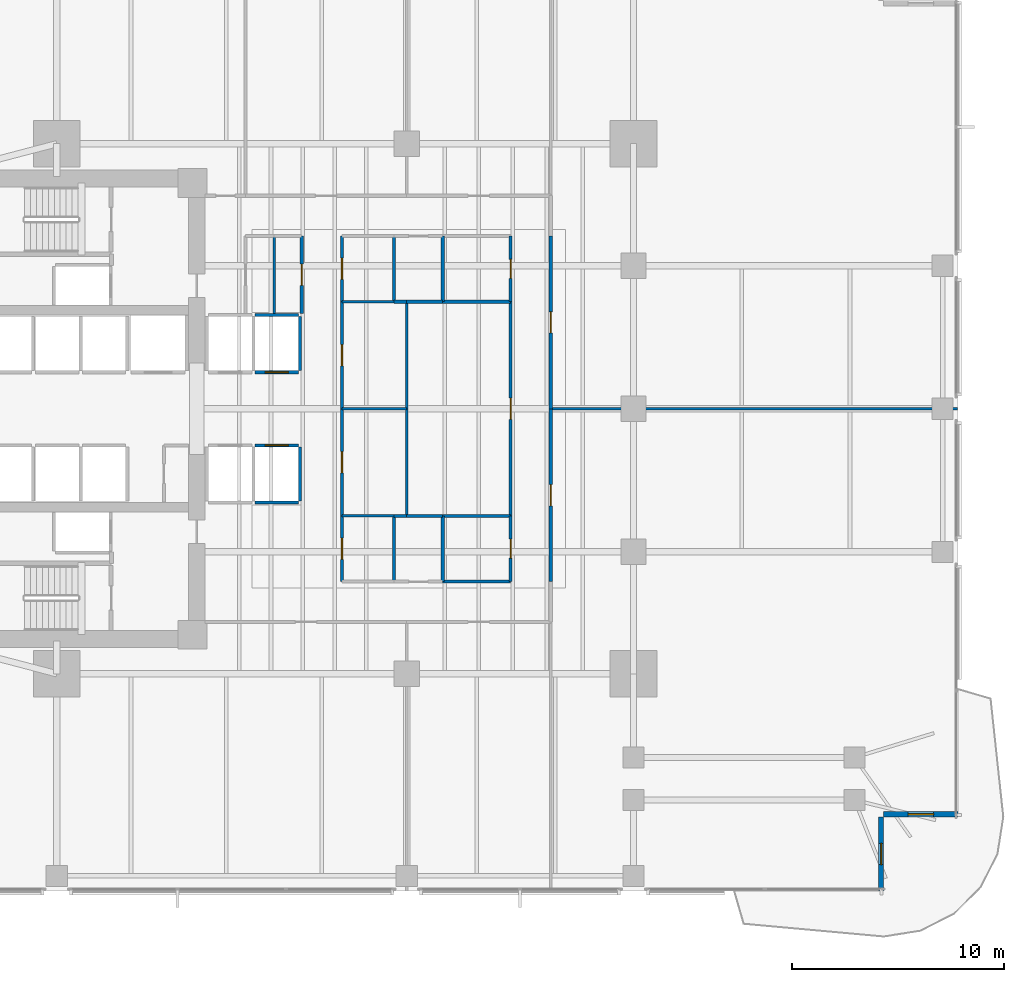
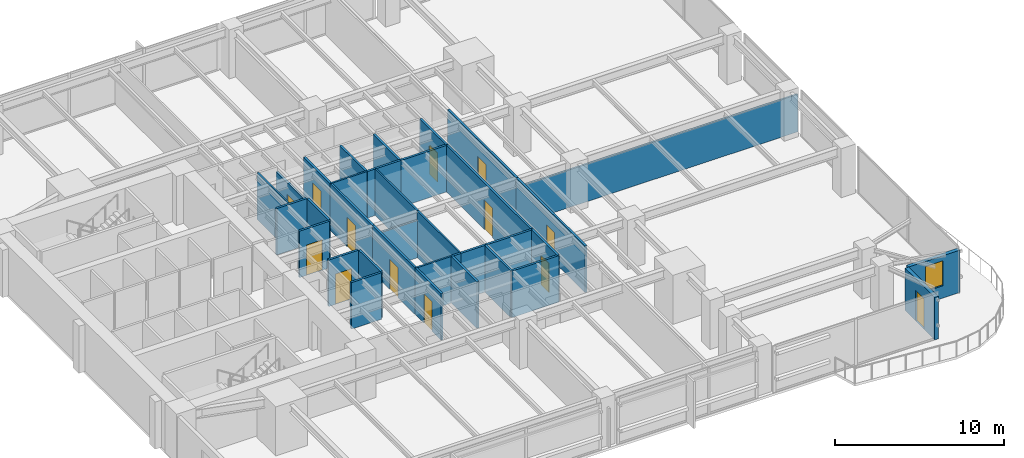
# One storey, part 9 of 15: 36 walls, 13 doors, 1 window, 14 openings.
"""IFC4 building model written with IfcOpenShell, lengths in metres."""

from ifc_helpers import new_model, si_unit, direction, frame, frame_2d, origin, place, context, subcontext, project, spatial, rectangle, extrude, material, layer, layer_set, type_object, element, fill, save


model = new_model("IFC4")

# Units and contexts
model_context = context("Model", 3, precision=1e-05, world=origin(), true_north=direction((0.0, 1.0)))
body_context = subcontext(model_context, "Body", "Model", "MODEL_VIEW")
ifc_project = project(units=[si_unit("LENGTHUNIT", "METRE"), si_unit("AREAUNIT", "SQUARE_METRE"), si_unit("VOLUMEUNIT", "CUBIC_METRE"), si_unit("PLANEANGLEUNIT", "RADIAN"), si_unit("MASSUNIT", "GRAM", prefix="KILO")], contexts=[model_context])

# Site, building, storey
site_placement = place(None, origin())
site = spatial("IfcSite", under=ifc_project, at=site_placement, CompositionType="ELEMENT")
building_placement = place(site_placement, origin())
building = spatial("IfcBuilding", under=site, at=building_placement, Name="Kinhvarn Gate Tower", CompositionType="ELEMENT")
storey_placement = place(building_placement, frame((0.0, 0.0, 36.25)))
storey = spatial("IfcBuildingStorey", under=building, at=storey_placement, Name="L08", CompositionType="ELEMENT", Elevation=36.25)

# Wall, opening, door
ifc_material_1 = material(Name="Fired architectural terracotta", Category="masonry")
ifc_layer_1 = layer(ifc_material_1, 0.25)
ifc_layer_set_1 = layer_set([ifc_layer_1], Name="Fired architectural terracotta")
wall_type_1 = type_object("IfcWallType", Name="WL-EXT-250", PredefinedType="SOLIDWALL", material=ifc_layer_set_1)
wall_1_placement = place(storey_placement, frame((49.875, 2.5, 0.0), z_axis=(0.0, 0.0, 1.0), x_axis=(0.0, 1.0, 0.0)))
wall_1 = element("IfcWall", 1, at=wall_1_placement, inside=storey, type_object=wall_type_1, Name="Exterior Solidwall Wall EW-250 (L08 SE-Notch-Door)", PredefinedType="SOLIDWALL", context=body_context, shape_type="SweptSolid", body=[
    extrude(rectangle(XDim=3.5, YDim=0.25, at=frame_2d((1.75, 0.0))), origin(), (0.0, 0.0, 1.0), 3.070068359375),
])
opening_1_placement = place(wall_1_placement, frame((1.25, 0.0, 0.0)))
opening_1 = element("IfcOpeningElement", 2, at=opening_1_placement, cuts=wall_1, Name="Opening BD-01", PredefinedType="OPENING", context=body_context, shape_type="SweptSolid", body=[
    extrude(rectangle(XDim=1.0, YDim=2.199951171875, at=frame_2d((0.5, 1.10009765625))), frame((0.0, 0.135009765625, 0.0), z_axis=(0.0, -1.0, 0.0), x_axis=(1.0, 0.0, 0.0)), (0.0, 0.0, 1.0), 0.27001953125),
])
ifc_material_2 = material(Name="Clear low-e double glazing", Category="glass")
door_type_1 = type_object("IfcDoorType", Name="DR-BAL-1000", OperationType="NOTDEFINED", PredefinedType="DOOR", material=ifc_material_2)
door_1_placement = place(opening_1_placement, frame((1.0, 0.0, 0.0), z_axis=(0.0, 0.0, 1.0), x_axis=(-1.0, 0.0, 0.0)))
door_1 = element("IfcDoor", 3, at=door_1_placement, inside=storey, type_object=door_type_1, Name="S-Carve Balcony Door BD-01 (L08)", OperationType="SINGLE_SWING_LEFT", OverallHeight=2.199951171875, OverallWidth=1.0, PredefinedType="DOOR", context=body_context, shape_type="SweptSolid", body=[
    extrude(rectangle(XDim=1.0, YDim=2.199951171875, at=frame_2d((0.5, 1.10009765625))), frame((0.0, 0.02490234375, 0.0), z_axis=(0.0, -1.0, 0.0), x_axis=(1.0, 0.0, 0.0)), (0.0, 0.0, 1.0), 0.050048828125),
])
fill(opening_1, door_1)

# Wall, opening, window
wall_2_placement = place(storey_placement, frame((50.0, 6.125, 0.0), z_axis=(0.0, 0.0, 1.0), x_axis=(1.0, 0.0, 0.0)))
wall_2 = element("IfcWall", 4, at=wall_2_placement, inside=storey, type_object=wall_type_1, Name="Exterior Solidwall Wall EW-250 (L08 SE-Notch-Win)", PredefinedType="SOLIDWALL", context=body_context, shape_type="SweptSolid", body=[
    extrude(rectangle(XDim=3.5, YDim=0.25, at=frame_2d((1.75, 0.0))), origin(), (0.0, 0.0, 1.0), 3.070068359375),
])
opening_2_placement = place(wall_2_placement, frame((1.14990234375, 0.0, 0.89990234375)))
opening_2 = element("IfcOpeningElement", 5, at=opening_2_placement, cuts=wall_2, Name="Opening WN-02", PredefinedType="OPENING", context=body_context, shape_type="SweptSolid", body=[
    extrude(rectangle(XDim=1.199951171875, YDim=1.800048828125, at=frame_2d((0.60009765625, 0.89990234375))), frame((0.0, 0.135009765625, 0.0), z_axis=(0.0, -1.0, 0.0), x_axis=(1.0, 0.0, 0.0)), (0.0, 0.0, 1.0), 0.27001953125),
])
window_type = type_object("IfcWindowType", Name="WIN-NTC-1200", PartitioningType="SINGLE_PANEL", PredefinedType="WINDOW", material=ifc_material_2)
window_placement = place(opening_2_placement, origin())
window = element("IfcWindow", 6, at=window_placement, inside=storey, type_object=window_type, Name="Recessed Corner Notch Punched Window 1200x1800 mm (L08)", OverallHeight=1.800048828125, OverallWidth=1.199951171875, PartitioningType="SINGLE_PANEL", PredefinedType="WINDOW", context=body_context, shape_type="SweptSolid", body=[
    extrude(rectangle(XDim=1.199951171875, YDim=1.800048828125, at=frame_2d((0.60009765625, 0.89990234375))), frame((0.0, 0.030029296875, 0.0), z_axis=(0.0, -1.0, 0.0), x_axis=(1.0, 0.0, 0.0)), (0.0, 0.0, 1.0), 0.06005859375),
])
fill(opening_2, window)

# Walls
ifc_material_3 = material(Name="Gypsum acoustic partition board")
ifc_layer_2 = layer(ifc_material_3, 0.14990234375)
ifc_layer_set_2 = layer_set([ifc_layer_2], Name="Gypsum acoustic partition board")
wall_type_2 = type_object("IfcWallType", Name="WL-PLM-150", PredefinedType="PLUMBINGWALL", material=ifc_layer_set_2)
wall_3_placement = place(storey_placement, frame((29.199951171875, 17.10009765625, 0.0), z_axis=(0.0, 0.0, 1.0), x_axis=(0.0, 1.0, 0.0)))
element("IfcWall", 7, at=wall_3_placement, inside=storey, type_object=wall_type_2, Name="Interior Partition PLW-150 (L08)", PredefinedType="PLUMBINGWALL", context=body_context, shape_type="SweptSolid", body=[
    extrude(rectangle(XDim=3.099853515625, YDim=0.14990234375, at=frame_2d((1.5498046875, 0.0))), origin(), (0.0, 0.0, 1.0), 3.3701171875),
])
wall_4_placement = place(storey_placement, frame((29.199951171875, 20.199951171875, 0.0), z_axis=(0.0, 0.0, 1.0), x_axis=(1.0, 0.0, 0.0)))
element("IfcWall", 8, at=wall_4_placement, inside=storey, type_object=wall_type_2, Name="Interior Partition PLW-150 (L08)", PredefinedType="PLUMBINGWALL", context=body_context, shape_type="SweptSolid", body=[
    extrude(rectangle(XDim=3.199951171875, YDim=0.14990234375, at=frame_2d((1.60009765625, 0.0))), origin(), (0.0, 0.0, 1.0), 3.3701171875),
])
wall_5_placement = place(storey_placement, frame((29.199951171875, 30.300048828125, 0.0), z_axis=(0.0, 0.0, 1.0), x_axis=(0.0, 1.0, 0.0)))
element("IfcWall", 9, at=wall_5_placement, inside=storey, type_object=wall_type_2, Name="Interior Partition PLW-150 (L08)", PredefinedType="PLUMBINGWALL", context=body_context, shape_type="SweptSolid", body=[
    extrude(rectangle(XDim=3.099853515625, YDim=0.14990234375, at=frame_2d((1.5498046875, 0.0))), origin(), (0.0, 0.0, 1.0), 3.3701171875),
])
wall_6_placement = place(storey_placement, frame((29.199951171875, 30.300048828125, 0.0), z_axis=(0.0, 0.0, 1.0), x_axis=(1.0, 0.0, 0.0)))
element("IfcWall", 10, at=wall_6_placement, inside=storey, type_object=wall_type_2, Name="Interior Partition PLW-150 (L08)", PredefinedType="PLUMBINGWALL", context=body_context, shape_type="SweptSolid", body=[
    extrude(rectangle(XDim=3.199951171875, YDim=0.14990234375, at=frame_2d((1.60009765625, 0.0))), origin(), (0.0, 0.0, 1.0), 3.3701171875),
])
wall_7_placement = place(storey_placement, frame((26.89990234375, 17.10009765625, 0.0), z_axis=(0.0, 0.0, 1.0), x_axis=(0.0, 1.0, 0.0)))
element("IfcWall", 11, at=wall_7_placement, inside=storey, type_object=wall_type_2, Name="Interior Partition PLW-150 (L08)", PredefinedType="PLUMBINGWALL", context=body_context, shape_type="SweptSolid", body=[
    extrude(rectangle(XDim=3.099853515625, YDim=0.14990234375, at=frame_2d((1.5498046875, 0.0))), origin(), (0.0, 0.0, 1.0), 3.3701171875),
])
wall_8_placement = place(storey_placement, frame((26.89990234375, 20.199951171875, 0.0), z_axis=(0.0, 0.0, 1.0), x_axis=(1.0, 0.0, 0.0)))
element("IfcWall", 12, at=wall_8_placement, inside=storey, type_object=wall_type_2, Name="Interior Partition PLW-150 (L08)", PredefinedType="PLUMBINGWALL", context=body_context, shape_type="SweptSolid", body=[
    extrude(rectangle(XDim=0.60009765625, YDim=0.14990234375, at=frame_2d((0.300048828125, 0.0))), origin(), (0.0, 0.0, 1.0), 3.3701171875),
])
wall_9_placement = place(storey_placement, frame((27.5, 20.199951171875, 0.0), z_axis=(0.0, 0.0, 1.0), x_axis=(1.0, 0.0, 0.0)))
element("IfcWall", 13, at=wall_9_placement, inside=storey, type_object=wall_type_2, Name="Interior Partition PLW-150 (L08)", PredefinedType="PLUMBINGWALL", context=body_context, shape_type="SweptSolid", body=[
    extrude(rectangle(XDim=1.699951171875, YDim=0.14990234375, at=frame_2d((0.85009765625, 0.0))), origin(), (0.0, 0.0, 1.0), 3.3701171875),
])
wall_10_placement = place(storey_placement, frame((26.89990234375, 30.300048828125, 0.0), z_axis=(0.0, 0.0, 1.0), x_axis=(0.0, 1.0, 0.0)))
element("IfcWall", 14, at=wall_10_placement, inside=storey, type_object=wall_type_2, Name="Interior Partition PLW-150 (L08)", PredefinedType="PLUMBINGWALL", context=body_context, shape_type="SweptSolid", body=[
    extrude(rectangle(XDim=3.099853515625, YDim=0.14990234375, at=frame_2d((1.5498046875, 0.0))), origin(), (0.0, 0.0, 1.0), 3.3701171875),
])
wall_11_placement = place(storey_placement, frame((26.89990234375, 30.300048828125, 0.0), z_axis=(0.0, 0.0, 1.0), x_axis=(1.0, 0.0, 0.0)))
element("IfcWall", 15, at=wall_11_placement, inside=storey, type_object=wall_type_2, Name="Interior Partition PLW-150 (L08)", PredefinedType="PLUMBINGWALL", context=body_context, shape_type="SweptSolid", body=[
    extrude(rectangle(XDim=0.60009765625, YDim=0.14990234375, at=frame_2d((0.300048828125, 0.0))), origin(), (0.0, 0.0, 1.0), 3.3701171875),
])
wall_12_placement = place(storey_placement, frame((27.5, 30.300048828125, 0.0), z_axis=(0.0, 0.0, 1.0), x_axis=(1.0, 0.0, 0.0)))
element("IfcWall", 16, at=wall_12_placement, inside=storey, type_object=wall_type_2, Name="Interior Partition PLW-150 (L08)", PredefinedType="PLUMBINGWALL", context=body_context, shape_type="SweptSolid", body=[
    extrude(rectangle(XDim=1.699951171875, YDim=0.14990234375, at=frame_2d((0.85009765625, 0.0))), origin(), (0.0, 0.0, 1.0), 3.3701171875),
])
ifc_layer_3 = layer(ifc_material_3, 0.14990234375)
ifc_layer_set_3 = layer_set([ifc_layer_3], Name="Gypsum acoustic partition board")
wall_type_3 = type_object("IfcWallType", Name="WL-PLM-150F", PredefinedType="PLUMBINGWALL", material=ifc_layer_set_3)
wall_13_placement = place(storey_placement, frame((29.199951171875, 17.10009765625, 0.0), z_axis=(0.0, 0.0, 1.0), x_axis=(1.0, 0.0, 0.0)))
element("IfcWall", 17, at=wall_13_placement, inside=storey, type_object=wall_type_3, Name="Interior Partition PLW-150F (L08)", PredefinedType="PLUMBINGWALL", context=body_context, shape_type="SweptSolid", body=[
    extrude(rectangle(XDim=3.199951171875, YDim=0.14990234375, at=frame_2d((1.60009765625, 0.0))), origin(), (0.0, 0.0, 1.0), 3.3701171875),
])

# Wall, opening, door
wall_14_placement = place(storey_placement, frame((32.39990234375, 17.10009765625, 0.0), z_axis=(0.0, 0.0, 1.0), x_axis=(0.0, 1.0, 0.0)))
wall_14 = element("IfcWall", 18, at=wall_14_placement, inside=storey, type_object=wall_type_3, Name="Interior Partition PLW-150F (L08)", PredefinedType="PLUMBINGWALL", context=body_context, shape_type="SweptSolid", body=[
    extrude(rectangle(XDim=3.099853515625, YDim=0.14990234375, at=frame_2d((1.5498046875, 0.0))), origin(), (0.0, 0.0, 1.0), 3.3701171875),
])
opening_3_placement = place(wall_14_placement, frame((1.10009765625, 0.0, 0.0)))
opening_3 = element("IfcOpeningElement", 19, at=opening_3_placement, cuts=wall_14, Name="Opening FD-04", PredefinedType="OPENING", context=body_context, shape_type="SweptSolid", body=[
    extrude(rectangle(XDim=0.89990234375, YDim=2.10009765625, at=frame_2d((0.449951171875, 1.050048828125))), frame((0.0, 0.0849609375, 0.0), z_axis=(0.0, -1.0, 0.0), x_axis=(1.0, 0.0, 0.0)), (0.0, 0.0, 1.0), 0.169921875),
])
ifc_material_4 = material(Name="Anodised aluminium AW-6063", Category="aluminium")
door_type_2 = type_object("IfcDoorType", Name="DR-FD-900", OperationType="NOTDEFINED", PredefinedType="DOOR", material=ifc_material_4)
door_2_placement = place(opening_3_placement, origin())
door_2 = element("IfcDoor", 20, at=door_2_placement, inside=storey, type_object=door_type_2, Name="Rated Riser & Service Closet Fire Door 900x2100 mm (L08)", OperationType="SINGLE_SWING_LEFT", OverallHeight=2.10009765625, OverallWidth=0.89990234375, PredefinedType="DOOR", context=body_context, shape_type="SweptSolid", body=[
    extrude(rectangle(XDim=0.89990234375, YDim=2.10009765625, at=frame_2d((0.449951171875, 1.050048828125))), frame((0.0, 0.02490234375, 0.0), z_axis=(0.0, -1.0, 0.0), x_axis=(1.0, 0.0, 0.0)), (0.0, 0.0, 1.0), 0.050048828125),
])
fill(opening_3, door_2)

wall_15_placement = place(storey_placement, frame((32.39990234375, 30.300048828125, 0.0), z_axis=(0.0, 0.0, 1.0), x_axis=(0.0, 1.0, 0.0)))
wall_15 = element("IfcWall", 21, at=wall_15_placement, inside=storey, type_object=wall_type_3, Name="Interior Partition PLW-150F (L08)", PredefinedType="PLUMBINGWALL", context=body_context, shape_type="SweptSolid", body=[
    extrude(rectangle(XDim=3.099853515625, YDim=0.14990234375, at=frame_2d((1.5498046875, 0.0))), origin(), (0.0, 0.0, 1.0), 3.3701171875),
])
opening_4_placement = place(wall_15_placement, frame((1.10009765625, 0.0, 0.0)))
opening_4 = element("IfcOpeningElement", 22, at=opening_4_placement, cuts=wall_15, Name="Opening FD-04", PredefinedType="OPENING", context=body_context, shape_type="SweptSolid", body=[
    extrude(rectangle(XDim=0.89990234375, YDim=2.10009765625, at=frame_2d((0.449951171875, 1.050048828125))), frame((0.0, 0.0849609375, 0.0), z_axis=(0.0, -1.0, 0.0), x_axis=(1.0, 0.0, 0.0)), (0.0, 0.0, 1.0), 0.169921875),
])
door_3_placement = place(opening_4_placement, origin())
door_3 = element("IfcDoor", 23, at=door_3_placement, inside=storey, type_object=door_type_2, Name="Rated Riser & Service Closet Fire Door 900x2100 mm (L08)", OperationType="SINGLE_SWING_RIGHT", OverallHeight=2.10009765625, OverallWidth=0.89990234375, PredefinedType="DOOR", context=body_context, shape_type="SweptSolid", body=[
    extrude(rectangle(XDim=0.89990234375, YDim=2.10009765625, at=frame_2d((0.449951171875, 1.050048828125))), frame((0.0, 0.02490234375, 0.0), z_axis=(0.0, -1.0, 0.0), x_axis=(1.0, 0.0, 0.0)), (0.0, 0.0, 1.0), 0.050048828125),
])
fill(opening_4, door_3)

# Walls
ifc_layer_4 = layer(ifc_material_3, 0.1201171875)
ifc_layer_set_4 = layer_set([ifc_layer_4], Name="Gypsum acoustic partition board")
wall_type_4 = type_object("IfcWallType", Name="WL-PRT-120", PredefinedType="PARTITIONING", material=ifc_layer_set_4)
wall_16_placement = place(storey_placement, frame((21.25, 29.75, 0.0), z_axis=(0.0, 0.0, 1.0), x_axis=(0.0, 1.0, 0.0)))
element("IfcWall", 24, at=wall_16_placement, inside=storey, type_object=wall_type_4, Name="Interior Partition PW-120 (L08)", PredefinedType="PARTITIONING", context=body_context, shape_type="SweptSolid", body=[
    extrude(rectangle(XDim=3.64990234375, YDim=0.1201171875, at=frame_2d((1.824951171875, 0.0))), origin(), (0.0, 0.0, 1.0), 3.3701171875),
])
for number, where, z_axis, x_axis, name in (
    (25, (24.449951171875, 20.199951171875, 0.0), (0.0, 0.0, 1.0), (1.0, 0.0, 0.0), "Interior Partition PW-120 (L08)"),
    (26, (24.449951171875, 30.300048828125, 0.0), (0.0, 0.0, 1.0), (1.0, 0.0, 0.0), "Interior Partition PW-120 (L08)"),
):
    element("IfcWall", number, at=place(storey_placement, frame(where, z_axis=z_axis, x_axis=x_axis)), inside=storey, type_object=wall_type_4, Name=name, PredefinedType="PARTITIONING", context=body_context, shape_type="SweptSolid", body=[
        extrude(rectangle(XDim=2.449951171875, YDim=0.1201171875, at=frame_2d((1.22509765625, 0.0))), origin(), (0.0, 0.0, 1.0), 3.3701171875),
    ])
wall_17_placement = place(storey_placement, frame((24.449951171875, 25.25, 0.0), z_axis=(0.0, 0.0, 1.0), x_axis=(1.0, 0.0, 0.0)))
element("IfcWall", 27, at=wall_17_placement, inside=storey, type_object=wall_type_4, Name="Interior Partition PW-120 (L08)", PredefinedType="PARTITIONING", context=body_context, shape_type="SweptSolid", body=[
    extrude(rectangle(XDim=3.050048828125, YDim=0.1201171875, at=frame_2d((1.52490234375, 0.0))), origin(), (0.0, 0.0, 1.0), 2.719970703125),
])
for number, where, z_axis, x_axis, name in (
    (28, (27.5, 20.199951171875, 0.0), (0.0, 0.0, 1.0), (0.0, 1.0, 0.0), "Interior Partition PW-120 (L08)"),
    (29, (27.5, 25.25, 0.0), (0.0, 0.0, 1.0), (0.0, 1.0, 0.0), "Interior Partition PW-120 (L08)"),
):
    element("IfcWall", number, at=place(storey_placement, frame(where, z_axis=z_axis, x_axis=x_axis)), inside=storey, type_object=wall_type_4, Name=name, PredefinedType="PARTITIONING", context=body_context, shape_type="SweptSolid", body=[
        extrude(rectangle(XDim=5.050048828125, YDim=0.1201171875, at=frame_2d((2.52490234375, 0.0))), origin(), (0.0, 0.0, 1.0), 3.3701171875),
    ])
wall_18_placement = place(storey_placement, frame((34.300048828125, 25.25, 0.0), z_axis=(0.0, 0.0, 1.0), x_axis=(1.0, 0.0, 0.0)))
element("IfcWall", 30, at=wall_18_placement, inside=storey, type_object=wall_type_4, Name="Interior Partition PW-120 (L08)", PredefinedType="PARTITIONING", context=body_context, shape_type="SweptSolid", body=[
    extrude(rectangle(XDim=19.18994140625, YDim=0.1201171875, at=frame_2d((9.594970703125, 0.0))), origin(), (0.0, 0.0, 1.0), 2.719970703125),
])

# Wall, opening, door
ifc_layer_5 = layer(ifc_material_3, 0.14990234375)
ifc_layer_set_5 = layer_set([ifc_layer_5], Name="Gypsum acoustic partition board")
wall_type_5 = type_object("IfcWallType", Name="WL-PRT-150F", PredefinedType="PARTITIONING", material=ifc_layer_set_5)
wall_19_placement = place(storey_placement, frame((22.550048828125, 29.75, 0.0), z_axis=(0.0, 0.0, 1.0), x_axis=(0.0, 1.0, 0.0)))
wall_19 = element("IfcWall", 31, at=wall_19_placement, inside=storey, type_object=wall_type_5, Name="Interior Partition PW-150F (L08)", PredefinedType="PARTITIONING", context=body_context, shape_type="SweptSolid", body=[
    extrude(rectangle(XDim=3.64990234375, YDim=0.14990234375, at=frame_2d((1.824951171875, 0.0))), origin(), (0.0, 0.0, 1.0), 3.010009765625),
])
opening_5_placement = place(wall_19_placement, frame((1.324951171875, 0.0, 0.0)))
opening_5 = element("IfcOpeningElement", 32, at=opening_5_placement, cuts=wall_19, Name="Opening ID-02", PredefinedType="OPENING", context=body_context, shape_type="SweptSolid", body=[
    extrude(rectangle(XDim=1.0, YDim=2.14990234375, at=frame_2d((0.5, 1.074951171875))), frame((0.0, 0.0849609375, 0.0), z_axis=(0.0, -1.0, 0.0), x_axis=(1.0, 0.0, 0.0)), (0.0, 0.0, 1.0), 0.169921875),
])
door_type_3 = type_object("IfcDoorType", Name="DR-INT-1000", OperationType="NOTDEFINED", PredefinedType="DOOR", material=ifc_material_4)
door_4_placement = place(opening_5_placement, origin())
door_4 = element("IfcDoor", 33, at=door_4_placement, inside=storey, type_object=door_type_3, Name="Standard Office & Meeting Room Door 1000x2150 mm (L08)", OperationType="SINGLE_SWING_RIGHT", OverallHeight=2.14990234375, OverallWidth=1.0, PredefinedType="DOOR", context=body_context, shape_type="SweptSolid", body=[
    extrude(rectangle(XDim=1.0, YDim=2.14990234375, at=frame_2d((0.5, 1.074951171875))), frame((0.0, 0.02490234375, 0.0), z_axis=(0.0, -1.0, 0.0), x_axis=(1.0, 0.0, 0.0)), (0.0, 0.0, 1.0), 0.050048828125),
])
fill(opening_5, door_4)

wall_20_placement = place(storey_placement, frame((24.449951171875, 17.10009765625, 0.0), z_axis=(0.0, 0.0, 1.0), x_axis=(0.0, 1.0, 0.0)))
wall_20 = element("IfcWall", 34, at=wall_20_placement, inside=storey, type_object=wall_type_5, Name="Interior Partition PW-150F (L08)", PredefinedType="PARTITIONING", context=body_context, shape_type="SweptSolid", body=[
    extrude(rectangle(XDim=3.099853515625, YDim=0.14990234375, at=frame_2d((1.5498046875, 0.0))), origin(), (0.0, 0.0, 1.0), 3.3701171875),
])
opening_6_placement = place(wall_20_placement, frame((1.050048828125, 0.0, 0.0)))
opening_6 = element("IfcOpeningElement", 35, at=opening_6_placement, cuts=wall_20, Name="Opening ID-02", PredefinedType="OPENING", context=body_context, shape_type="SweptSolid", body=[
    extrude(rectangle(XDim=1.0, YDim=2.14990234375, at=frame_2d((0.5, 1.074951171875))), frame((0.0, 0.0849609375, 0.0), z_axis=(0.0, -1.0, 0.0), x_axis=(1.0, 0.0, 0.0)), (0.0, 0.0, 1.0), 0.169921875),
])
door_5_placement = place(opening_6_placement, origin())
door_5 = element("IfcDoor", 36, at=door_5_placement, inside=storey, type_object=door_type_3, Name="Standard Office & Meeting Room Door 1000x2150 mm (L08)", OperationType="SINGLE_SWING_LEFT", OverallHeight=2.14990234375, OverallWidth=1.0, PredefinedType="DOOR", context=body_context, shape_type="SweptSolid", body=[
    extrude(rectangle(XDim=1.0, YDim=2.14990234375, at=frame_2d((0.5, 1.074951171875))), frame((0.0, 0.02490234375, 0.0), z_axis=(0.0, -1.0, 0.0), x_axis=(1.0, 0.0, 0.0)), (0.0, 0.0, 1.0), 0.050048828125),
])
fill(opening_6, door_5)

wall_21_placement = place(storey_placement, frame((24.449951171875, 30.300048828125, 0.0), z_axis=(0.0, 0.0, 1.0), x_axis=(0.0, 1.0, 0.0)))
wall_21 = element("IfcWall", 37, at=wall_21_placement, inside=storey, type_object=wall_type_5, Name="Interior Partition PW-150F (L08)", PredefinedType="PARTITIONING", context=body_context, shape_type="SweptSolid", body=[
    extrude(rectangle(XDim=3.099853515625, YDim=0.14990234375, at=frame_2d((1.5498046875, 0.0))), origin(), (0.0, 0.0, 1.0), 3.3701171875),
])
opening_7_placement = place(wall_21_placement, frame((1.050048828125, 0.0, 0.0)))
opening_7 = element("IfcOpeningElement", 38, at=opening_7_placement, cuts=wall_21, Name="Opening ID-02", PredefinedType="OPENING", context=body_context, shape_type="SweptSolid", body=[
    extrude(rectangle(XDim=1.0, YDim=2.14990234375, at=frame_2d((0.5, 1.074951171875))), frame((0.0, 0.0849609375, 0.0), z_axis=(0.0, -1.0, 0.0), x_axis=(1.0, 0.0, 0.0)), (0.0, 0.0, 1.0), 0.169921875),
])
door_6_placement = place(opening_7_placement, origin())
door_6 = element("IfcDoor", 39, at=door_6_placement, inside=storey, type_object=door_type_3, Name="Standard Office & Meeting Room Door 1000x2150 mm (L08)", OperationType="SINGLE_SWING_RIGHT", OverallHeight=2.14990234375, OverallWidth=1.0, PredefinedType="DOOR", context=body_context, shape_type="SweptSolid", body=[
    extrude(rectangle(XDim=1.0, YDim=2.14990234375, at=frame_2d((0.5, 1.074951171875))), frame((0.0, 0.02490234375, 0.0), z_axis=(0.0, -1.0, 0.0), x_axis=(1.0, 0.0, 0.0)), (0.0, 0.0, 1.0), 0.050048828125),
])
fill(opening_7, door_6)

wall_22_placement = place(storey_placement, frame((24.449951171875, 20.199951171875, 0.0), z_axis=(0.0, 0.0, 1.0), x_axis=(0.0, 1.0, 0.0)))
wall_22 = element("IfcWall", 40, at=wall_22_placement, inside=storey, type_object=wall_type_5, Name="Interior Partition PW-150F (L08)", PredefinedType="PARTITIONING", context=body_context, shape_type="SweptSolid", body=[
    extrude(rectangle(XDim=5.050048828125, YDim=0.14990234375, at=frame_2d((2.52490234375, 0.0))), origin(), (0.0, 0.0, 1.0), 3.3701171875),
])
opening_8_placement = place(wall_22_placement, frame((2.02490234375, 0.0, 0.0)))
opening_8 = element("IfcOpeningElement", 41, at=opening_8_placement, cuts=wall_22, Name="Opening ID-02", PredefinedType="OPENING", context=body_context, shape_type="SweptSolid", body=[
    extrude(rectangle(XDim=1.0, YDim=2.14990234375, at=frame_2d((0.5, 1.074951171875))), frame((0.0, 0.0849609375, 0.0), z_axis=(0.0, -1.0, 0.0), x_axis=(1.0, 0.0, 0.0)), (0.0, 0.0, 1.0), 0.169921875),
])
door_7_placement = place(opening_8_placement, origin())
door_7 = element("IfcDoor", 42, at=door_7_placement, inside=storey, type_object=door_type_3, Name="Standard Office & Meeting Room Door 1000x2150 mm (L08)", OperationType="SINGLE_SWING_LEFT", OverallHeight=2.14990234375, OverallWidth=1.0, PredefinedType="DOOR", context=body_context, shape_type="SweptSolid", body=[
    extrude(rectangle(XDim=1.0, YDim=2.14990234375, at=frame_2d((0.5, 1.074951171875))), frame((0.0, 0.02490234375, 0.0), z_axis=(0.0, -1.0, 0.0), x_axis=(1.0, 0.0, 0.0)), (0.0, 0.0, 1.0), 0.050048828125),
])
fill(opening_8, door_7)

wall_23_placement = place(storey_placement, frame((24.449951171875, 25.25, 0.0), z_axis=(0.0, 0.0, 1.0), x_axis=(0.0, 1.0, 0.0)))
wall_23 = element("IfcWall", 43, at=wall_23_placement, inside=storey, type_object=wall_type_5, Name="Interior Partition PW-150F (L08)", PredefinedType="PARTITIONING", context=body_context, shape_type="SweptSolid", body=[
    extrude(rectangle(XDim=5.050048828125, YDim=0.14990234375, at=frame_2d((2.52490234375, 0.0))), origin(), (0.0, 0.0, 1.0), 3.3701171875),
])
opening_9_placement = place(wall_23_placement, frame((2.02490234375, 0.0, 0.0)))
opening_9 = element("IfcOpeningElement", 44, at=opening_9_placement, cuts=wall_23, Name="Opening ID-02", PredefinedType="OPENING", context=body_context, shape_type="SweptSolid", body=[
    extrude(rectangle(XDim=1.0, YDim=2.14990234375, at=frame_2d((0.5, 1.074951171875))), frame((0.0, 0.0849609375, 0.0), z_axis=(0.0, -1.0, 0.0), x_axis=(1.0, 0.0, 0.0)), (0.0, 0.0, 1.0), 0.169921875),
])
door_8_placement = place(opening_9_placement, origin())
door_8 = element("IfcDoor", 45, at=door_8_placement, inside=storey, type_object=door_type_3, Name="Standard Office & Meeting Room Door 1000x2150 mm (L08)", OperationType="SINGLE_SWING_RIGHT", OverallHeight=2.14990234375, OverallWidth=1.0, PredefinedType="DOOR", context=body_context, shape_type="SweptSolid", body=[
    extrude(rectangle(XDim=1.0, YDim=2.14990234375, at=frame_2d((0.5, 1.074951171875))), frame((0.0, 0.02490234375, 0.0), z_axis=(0.0, -1.0, 0.0), x_axis=(1.0, 0.0, 0.0)), (0.0, 0.0, 1.0), 0.050048828125),
])
fill(opening_9, door_8)

wall_24_placement = place(storey_placement, frame((32.39990234375, 20.199951171875, 0.0), z_axis=(0.0, 0.0, 1.0), x_axis=(0.0, 1.0, 0.0)))
wall_24 = element("IfcWall", 46, at=wall_24_placement, inside=storey, type_object=wall_type_5, Name="Interior Partition PW-150F (L08)", PredefinedType="PARTITIONING", context=body_context, shape_type="SweptSolid", body=[
    extrude(rectangle(XDim=10.10009765625, YDim=0.14990234375, at=frame_2d((5.050048828125, 0.0))), origin(), (0.0, 0.0, 1.0), 3.3701171875),
])
opening_10_placement = place(wall_24_placement, frame((4.550048828125, 0.0, 0.0)))
opening_10 = element("IfcOpeningElement", 47, at=opening_10_placement, cuts=wall_24, Name="Opening ID-02", PredefinedType="OPENING", context=body_context, shape_type="SweptSolid", body=[
    extrude(rectangle(XDim=1.0, YDim=2.14990234375, at=frame_2d((0.5, 1.074951171875))), frame((0.0, 0.0849609375, 0.0), z_axis=(0.0, -1.0, 0.0), x_axis=(1.0, 0.0, 0.0)), (0.0, 0.0, 1.0), 0.169921875),
])
door_9_placement = place(opening_10_placement, origin())
door_9 = element("IfcDoor", 48, at=door_9_placement, inside=storey, type_object=door_type_3, Name="Standard Office & Meeting Room Door 1000x2150 mm (L08)", OperationType="SINGLE_SWING_LEFT", OverallHeight=2.14990234375, OverallWidth=1.0, PredefinedType="DOOR", context=body_context, shape_type="SweptSolid", body=[
    extrude(rectangle(XDim=1.0, YDim=2.14990234375, at=frame_2d((0.5, 1.074951171875))), frame((0.0, 0.02490234375, 0.0), z_axis=(0.0, -1.0, 0.0), x_axis=(1.0, 0.0, 0.0)), (0.0, 0.0, 1.0), 0.050048828125),
])
fill(opening_10, door_9)

wall_25_placement = place(storey_placement, frame((34.300048828125, 17.10009765625, 0.0), z_axis=(0.0, 0.0, 1.0), x_axis=(0.0, 1.0, 0.0)))
wall_25 = element("IfcWall", 49, at=wall_25_placement, inside=storey, type_object=wall_type_5, Name="Interior Partition PW-150F (L08)", PredefinedType="PARTITIONING", context=body_context, shape_type="SweptSolid", body=[
    extrude(rectangle(XDim=8.14990234375, YDim=0.14990234375, at=frame_2d((4.074951171875, 0.0))), origin(), (0.0, 0.0, 1.0), 3.3701171875),
])
opening_11_placement = place(wall_25_placement, frame((3.574951171875, 0.0, 0.0)))
opening_11 = element("IfcOpeningElement", 50, at=opening_11_placement, cuts=wall_25, Name="Opening ID-02", PredefinedType="OPENING", context=body_context, shape_type="SweptSolid", body=[
    extrude(rectangle(XDim=1.0, YDim=2.14990234375, at=frame_2d((0.5, 1.074951171875))), frame((0.0, 0.0849609375, 0.0), z_axis=(0.0, -1.0, 0.0), x_axis=(1.0, 0.0, 0.0)), (0.0, 0.0, 1.0), 0.169921875),
])
door_10_placement = place(opening_11_placement, origin())
door_10 = element("IfcDoor", 51, at=door_10_placement, inside=storey, type_object=door_type_3, Name="Standard Office & Meeting Room Door 1000x2150 mm (L08)", OperationType="SINGLE_SWING_RIGHT", OverallHeight=2.14990234375, OverallWidth=1.0, PredefinedType="DOOR", context=body_context, shape_type="SweptSolid", body=[
    extrude(rectangle(XDim=1.0, YDim=2.14990234375, at=frame_2d((0.5, 1.074951171875))), frame((0.0, 0.02490234375, 0.0), z_axis=(0.0, -1.0, 0.0), x_axis=(1.0, 0.0, 0.0)), (0.0, 0.0, 1.0), 0.050048828125),
])
fill(opening_11, door_10)

wall_26_placement = place(storey_placement, frame((34.300048828125, 25.25, 0.0), z_axis=(0.0, 0.0, 1.0), x_axis=(0.0, 1.0, 0.0)))
wall_26 = element("IfcWall", 52, at=wall_26_placement, inside=storey, type_object=wall_type_5, Name="Interior Partition PW-150F (L08)", PredefinedType="PARTITIONING", context=body_context, shape_type="SweptSolid", body=[
    extrude(rectangle(XDim=8.14990234375, YDim=0.14990234375, at=frame_2d((4.074951171875, 0.0))), origin(), (0.0, 0.0, 1.0), 3.3701171875),
])
opening_12_placement = place(wall_26_placement, frame((3.574951171875, 0.0, 0.0)))
opening_12 = element("IfcOpeningElement", 53, at=opening_12_placement, cuts=wall_26, Name="Opening ID-02", PredefinedType="OPENING", context=body_context, shape_type="SweptSolid", body=[
    extrude(rectangle(XDim=1.0, YDim=2.14990234375, at=frame_2d((0.5, 1.074951171875))), frame((0.0, 0.0849609375, 0.0), z_axis=(0.0, -1.0, 0.0), x_axis=(1.0, 0.0, 0.0)), (0.0, 0.0, 1.0), 0.169921875),
])
door_11_placement = place(opening_12_placement, origin())
door_11 = element("IfcDoor", 54, at=door_11_placement, inside=storey, type_object=door_type_3, Name="Standard Office & Meeting Room Door 1000x2150 mm (L08)", OperationType="SINGLE_SWING_LEFT", OverallHeight=2.14990234375, OverallWidth=1.0, PredefinedType="DOOR", context=body_context, shape_type="SweptSolid", body=[
    extrude(rectangle(XDim=1.0, YDim=2.14990234375, at=frame_2d((0.5, 1.074951171875))), frame((0.0, 0.02490234375, 0.0), z_axis=(0.0, -1.0, 0.0), x_axis=(1.0, 0.0, 0.0)), (0.0, 0.0, 1.0), 0.050048828125),
])
fill(opening_12, door_11)

# Wall
ifc_layer_6 = layer(ifc_material_3, 0.14990234375)
ifc_layer_set_6 = layer_set([ifc_layer_6], Name="Gypsum acoustic partition board")
wall_type_6 = type_object("IfcWallType", Name="WL-SHF-150", PredefinedType="PARTITIONING", material=ifc_layer_set_6)
wall_27_placement = place(storey_placement, frame((20.35009765625, 20.824951171875, 0.0), z_axis=(0.0, 0.0, 1.0), x_axis=(1.0, 0.0, 0.0)))
element("IfcWall", 55, at=wall_27_placement, inside=storey, type_object=wall_type_6, Name="Elevator PL-02 Hoistway Wall S (L08)", PredefinedType="PARTITIONING", context=body_context, shape_type="SweptSolid", body=[
    extrude(rectangle(XDim=2.0498046875, YDim=0.14990234375, at=frame_2d((1.02490234375, 0.0))), origin(), (0.0, 0.0, 1.0), 3.3701171875),
])

# Wall, opening, door
wall_28_placement = place(storey_placement, frame((20.35009765625, 23.52490234375, 0.0), z_axis=(0.0, 0.0, 1.0), x_axis=(1.0, 0.0, 0.0)))
wall_28 = element("IfcWall", 56, at=wall_28_placement, inside=storey, type_object=wall_type_6, Name="Elevator PL-02 Landing Wall (L08)", PredefinedType="PARTITIONING", context=body_context, shape_type="SweptSolid", body=[
    extrude(rectangle(XDim=2.0498046875, YDim=0.14990234375, at=frame_2d((1.02490234375, 0.0))), origin(), (0.0, 0.0, 1.0), 3.3701171875),
])
opening_13_placement = place(wall_28_placement, frame((0.47509765625, 0.0, 0.0)))
opening_13 = element("IfcOpeningElement", 57, at=opening_13_placement, cuts=wall_28, Name="Opening LD-01", PredefinedType="OPENING", context=body_context, shape_type="SweptSolid", body=[
    extrude(rectangle(XDim=1.10009765625, YDim=2.199951171875, at=frame_2d((0.550048828125, 1.10009765625))), frame((0.0, 0.0849609375, 0.0), z_axis=(0.0, -1.0, 0.0), x_axis=(1.0, 0.0, 0.0)), (0.0, 0.0, 1.0), 0.169921875),
])
door_type_4 = type_object("IfcDoorType", Name="DR-LND-PAS", OperationType="NOTDEFINED", PredefinedType="DOOR", material=ifc_material_4)
door_12_placement = place(opening_13_placement, origin())
door_12 = element("IfcDoor", 58, at=door_12_placement, inside=storey, type_object=door_type_4, Name="Elevator PL-02 Sliding Landing Door (L08)", OperationType="DOUBLE_DOOR_SLIDING", OverallHeight=2.199951171875, OverallWidth=1.10009765625, PredefinedType="DOOR", context=body_context, shape_type="SweptSolid", body=[
    extrude(rectangle(XDim=1.10009765625, YDim=2.199951171875, at=frame_2d((0.550048828125, 1.10009765625))), frame((0.0, 0.02490234375, 0.0), z_axis=(0.0, -1.0, 0.0), x_axis=(1.0, 0.0, 0.0)), (0.0, 0.0, 1.0), 0.050048828125),
])
fill(opening_13, door_12)

# Wall
wall_29_placement = place(storey_placement, frame((22.47509765625, 20.89990234375, 0.0), z_axis=(0.0, 0.0, 1.0), x_axis=(0.0, 1.0, 0.0)))
element("IfcWall", 59, at=wall_29_placement, inside=storey, type_object=wall_type_6, Name="Elevator PL-02 Hoistway Wall E (L08)", PredefinedType="PARTITIONING", context=body_context, shape_type="SweptSolid", body=[
    extrude(rectangle(XDim=2.550048828125, YDim=0.14990234375, at=frame_2d((1.27490234375, 0.0))), origin(), (0.0, 0.0, 1.0), 3.3701171875),
])

# Wall, opening, door
wall_30_placement = place(storey_placement, frame((20.35009765625, 26.97509765625, 0.0), z_axis=(0.0, 0.0, 1.0), x_axis=(1.0, 0.0, 0.0)))
wall_30 = element("IfcWall", 60, at=wall_30_placement, inside=storey, type_object=wall_type_6, Name="Elevator PL-04 Landing Wall (L08)", PredefinedType="PARTITIONING", context=body_context, shape_type="SweptSolid", body=[
    extrude(rectangle(XDim=2.0498046875, YDim=0.14990234375, at=frame_2d((1.02490234375, 0.0))), origin(), (0.0, 0.0, 1.0), 3.3701171875),
])
opening_14_placement = place(wall_30_placement, frame((0.47509765625, 0.0, 0.0)))
opening_14 = element("IfcOpeningElement", 61, at=opening_14_placement, cuts=wall_30, Name="Opening LD-01", PredefinedType="OPENING", context=body_context, shape_type="SweptSolid", body=[
    extrude(rectangle(XDim=1.10009765625, YDim=2.199951171875, at=frame_2d((0.550048828125, 1.10009765625))), frame((0.0, 0.0849609375, 0.0), z_axis=(0.0, -1.0, 0.0), x_axis=(1.0, 0.0, 0.0)), (0.0, 0.0, 1.0), 0.169921875),
])
door_13_placement = place(opening_14_placement, origin())
door_13 = element("IfcDoor", 62, at=door_13_placement, inside=storey, type_object=door_type_4, Name="Elevator PL-04 Sliding Landing Door (L08)", OperationType="DOUBLE_DOOR_SLIDING", OverallHeight=2.199951171875, OverallWidth=1.10009765625, PredefinedType="DOOR", context=body_context, shape_type="SweptSolid", body=[
    extrude(rectangle(XDim=1.10009765625, YDim=2.199951171875, at=frame_2d((0.550048828125, 1.10009765625))), frame((0.0, 0.02490234375, 0.0), z_axis=(0.0, -1.0, 0.0), x_axis=(1.0, 0.0, 0.0)), (0.0, 0.0, 1.0), 0.050048828125),
])
fill(opening_14, door_13)

# Walls
wall_31_placement = place(storey_placement, frame((20.35009765625, 29.675048828125, 0.0), z_axis=(0.0, 0.0, 1.0), x_axis=(1.0, 0.0, 0.0)))
element("IfcWall", 63, at=wall_31_placement, inside=storey, type_object=wall_type_6, Name="Elevator PL-04 Hoistway Wall N (L08)", PredefinedType="PARTITIONING", context=body_context, shape_type="SweptSolid", body=[
    extrude(rectangle(XDim=2.0498046875, YDim=0.14990234375, at=frame_2d((1.02490234375, 0.0))), origin(), (0.0, 0.0, 1.0), 3.3701171875),
])
wall_32_placement = place(storey_placement, frame((22.47509765625, 27.050048828125, 0.0), z_axis=(0.0, 0.0, 1.0), x_axis=(0.0, 1.0, 0.0)))
element("IfcWall", 64, at=wall_32_placement, inside=storey, type_object=wall_type_6, Name="Elevator PL-04 Hoistway Wall E (L08)", PredefinedType="PARTITIONING", context=body_context, shape_type="SweptSolid", body=[
    extrude(rectangle(XDim=2.550048828125, YDim=0.14990234375, at=frame_2d((1.27490234375, 0.0))), origin(), (0.0, 0.0, 1.0), 3.3701171875),
])

save(model, "model.ifc")
